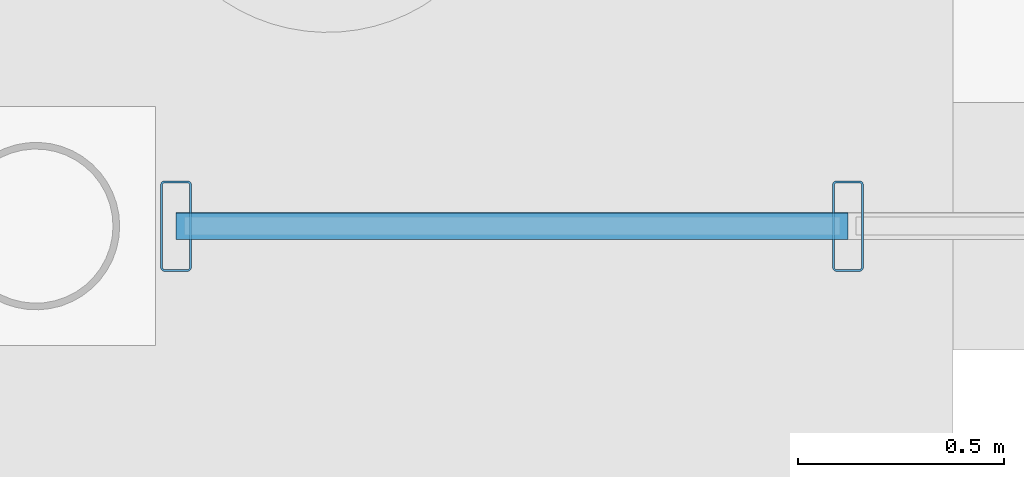
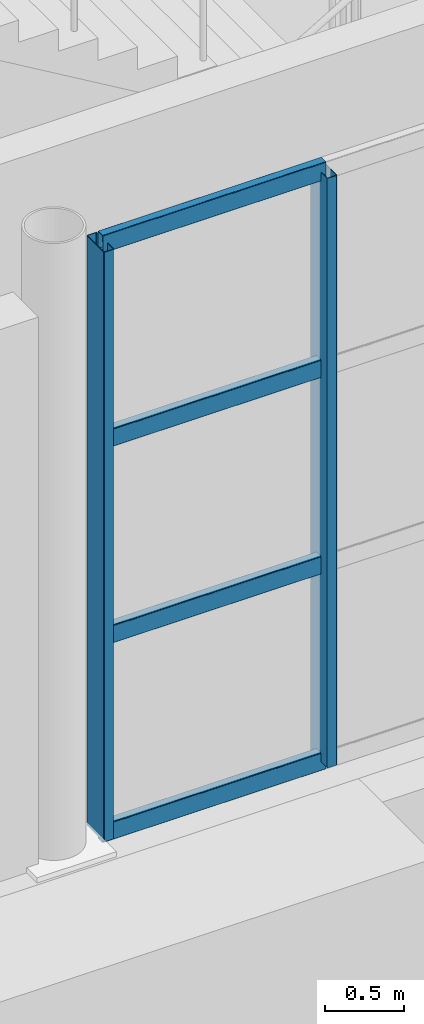
# One storey, part 43 of 101: 6 members, 1 element without a shape of its own.
"""IFC4 building model written with IfcOpenShell, lengths in metres."""

import ifcopenshell
import ifcopenshell.guid

model = None  # the IFC model being written
_history = None  # IfcOwnerHistory: only IFC2X3 demands one
_inside = {}  # id of a spatial element -> (the spatial element, [elements in it])
_under = {}  # id of a project, library or spatial element -> (it, [spatial elements below it])
_declared = {}  # id of a project -> (the project, [libraries it declares])
_typed = {}  # id of a type object -> (the type object, [elements of that type])
_made_of = {}  # id of a material, layer set ... -> (it, [elements and type objects made of it])


def new_model(schema):
    """Start an empty IFC model of exactly this schema.

    Asked for "IFC4X3", IfcOpenShell would pick the latest addendum, in which some entities
    have other attributes; the version numbers below select the first issue.
    IFC2X3 requires an IfcOwnerHistory on every rooted entity: one is made here for all.
    """
    global model, _history
    if schema == "IFC4X3":
        model = ifcopenshell.file(schema_version=(4, 3, 0, 0))
    else:
        model = ifcopenshell.file(schema=schema)
    _inside.clear()
    _under.clear()
    _declared.clear()
    _typed.clear()
    _made_of.clear()
    _history = None
    if model.schema == "IFC2X3":
        org = make("IfcOrganization", Name="unknown")
        user = make(
            "IfcPersonAndOrganization",
            ThePerson=make("IfcPerson", FamilyName="unknown"),
            TheOrganization=org,
        )
        app = make(
            "IfcApplication",
            ApplicationDeveloper=org,
            Version="unknown",
            ApplicationFullName="unknown",
            ApplicationIdentifier="unknown",
        )
        _history = make(
            "IfcOwnerHistory",
            OwningUser=user,
            OwningApplication=app,
            ChangeAction="ADDED",
            CreationDate=0,
        )
    return model


def make(cls, **values):
    """One entity of the class cls with the attributes given. An attribute that is None is left unset."""
    return model.create_entity(
        cls, **{name: value for name, value in values.items() if value is not None}
    )


def rooted(cls, **values):
    """An entity with a GlobalId (a new one), such as an element, a storey or a relation."""
    return make(cls, GlobalId=ifcopenshell.guid.new(), OwnerHistory=_history, **values)


def si_unit(unit_type, name, prefix=None):
    """IfcSIUnit, for example si_unit("LENGTHUNIT", "METRE", prefix="MILLI")."""
    return make("IfcSIUnit", UnitType=unit_type, Prefix=prefix, Name=name)


def derived_unit(unit_type, elements):
    """IfcDerivedUnit: a product of units, each with its exponent."""
    return make(
        "IfcDerivedUnit",
        Elements=[
            make("IfcDerivedUnitElement", Unit=unit, Exponent=power)
            for unit, power in elements
        ],
        UnitType=unit_type,
    )


def assignment(units):
    """IfcUnitAssignment: the units of a project."""
    return None if units is None else make("IfcUnitAssignment", Units=units)


def point(xyz):
    """IfcCartesianPoint."""
    return None if xyz is None else make("IfcCartesianPoint", Coordinates=xyz)


def direction(xyz):
    """IfcDirection."""
    return None if xyz is None else make("IfcDirection", DirectionRatios=xyz)


def frame(location, z_axis=None, x_axis=None):
    """IfcAxis2Placement3D, a coordinate frame: its origin and axes. An axis left out is left unset."""
    return make(
        "IfcAxis2Placement3D",
        Location=point(location),
        Axis=direction(z_axis),
        RefDirection=direction(x_axis),
    )


def frame_2d(location, x_axis=None):
    """IfcAxis2Placement2D, a coordinate frame in the plane: its origin and x axis."""
    return make(
        "IfcAxis2Placement2D", Location=point(location), RefDirection=direction(x_axis)
    )


def origin():
    """The frame at (0, 0, 0) with its axes left unset."""
    return frame((0.0, 0.0, 0.0))


def origin_2d():
    """The frame at (0, 0) in the plane with its x axis left unset."""
    return frame_2d((0.0, 0.0))


def place(relative_to, where):
    """IfcLocalPlacement: puts the frame where relative to a parent placement (None: the world)."""
    return make(
        "IfcLocalPlacement", PlacementRelTo=relative_to, RelativePlacement=where
    )


def context(
    kind, dimensions, precision=None, world=None, true_north=None, identifier=None
):
    """IfcGeometricRepresentationContext, for example the 3D "Model" context."""
    return make(
        "IfcGeometricRepresentationContext",
        ContextIdentifier=identifier,
        ContextType=kind,
        CoordinateSpaceDimension=dimensions,
        Precision=precision,
        WorldCoordinateSystem=world,
        TrueNorth=true_north,
    )


def subcontext(parent, identifier, kind, view, scale=None):
    """IfcGeometricRepresentationSubContext, for example "Body" below "Model"."""
    return make(
        "IfcGeometricRepresentationSubContext",
        ContextIdentifier=identifier,
        ContextType=kind,
        ParentContext=parent,
        TargetScale=scale,
        TargetView=view,
    )


def project(units=None, contexts=None):
    """IfcProject with its units and contexts."""
    return rooted(
        "IfcProject",
        Name="project",
        RepresentationContexts=contexts,
        UnitsInContext=assignment(units),
    )


def spatial(cls, under=None, at=None, **own):
    """A site, building, storey or space (cls), placed at a placement, below another one or the project."""
    s = rooted(cls, ObjectPlacement=at, **own)
    if under is not None:
        _under.setdefault(under.id(), (under, []))[1].append(s)
    return s


def profile(cls, at=None, kind="AREA", **sizes):
    """A parametric profile (cls). Its sizes go by their IFC names, for example OverallWidth=200.0."""
    return make(cls, ProfileType=kind, Position=at, **sizes)


def hollow_rectangle(**sizes):
    """IfcRectangleHollowProfileDef."""
    return profile("IfcRectangleHollowProfileDef", **sizes)


def extrude(swept, where, along, depth):
    """IfcExtrudedAreaSolid: the profile swept, set in the frame where, extruded along a direction by depth."""
    return make(
        "IfcExtrudedAreaSolid",
        SweptArea=swept,
        Position=where,
        ExtrudedDirection=direction(along),
        Depth=depth,
    )


def shape(context_of_items, identifier, shape_type, items):
    """IfcShapeRepresentation: the items that make up one representation, for example the "Body"."""
    return make(
        "IfcShapeRepresentation",
        ContextOfItems=context_of_items,
        RepresentationIdentifier=identifier,
        RepresentationType=shape_type,
        Items=items,
    )


def material(Name=None, Category=None):
    """IfcMaterial."""
    return make("IfcMaterial", Name=Name, Category=Category)


def material_profile(
    of_material, cross_section, Name=None, Category=None, Priority=None
):
    """IfcMaterialProfile: a cross section and its material."""
    return make(
        "IfcMaterialProfile",
        Name=Name,
        Material=of_material,
        Profile=cross_section,
        Priority=Priority,
        Category=Category,
    )


def profile_set(profiles, Name=None, composite=None):
    """IfcMaterialProfileSet."""
    return make(
        "IfcMaterialProfileSet",
        Name=Name,
        MaterialProfiles=profiles,
        CompositeProfile=composite,
    )


def made_of(thing, what):
    """Note that an element or type object is made of a material, layer set ...; save() writes the relation."""
    if what is not None:
        _made_of.setdefault(what.id(), (what, []))[1].append(thing)
    return thing


def type_object(cls, material=None, **own):
    """A type object (cls), such as IfcWallType, which elements share."""
    return made_of(rooted(cls, **own), material)


def element(
    cls,
    number,
    at=None,
    inside=None,
    cuts=None,
    type_object=None,
    material=None,
    context=None,
    identifier="Body",
    shape_type=None,
    held_by="IfcProductDefinitionShape",
    body=None,
    shapes=None,
    **own,
):
    """One element of the class cls, such as IfcWall. Its Tag is "e" and its number.

    at: its placement. inside: the storey or other place that contains it. cuts: it is an
    opening in that element (IfcRelVoidsElement). A single representation is given by context,
    identifier, shape_type and body (its items); several are given by shapes. held_by: the class
    of the entity that holds the representations. save() writes the other relations.
    """
    e = rooted(cls, Tag="e%d" % number, ObjectPlacement=at, **own)
    if body is not None:
        shapes = [shape(context, identifier, shape_type, body)]
    if shapes is not None:
        e.Representation = make(held_by, Representations=shapes)
    if inside is not None:
        _inside.setdefault(inside.id(), (inside, []))[1].append(e)
    if cuts is not None:
        rooted(
            "IfcRelVoidsElement", RelatingBuildingElement=cuts, RelatedOpeningElement=e
        )
    if type_object is not None:
        _typed.setdefault(type_object.id(), (type_object, []))[1].append(e)
    return made_of(e, material)


def aggregate(whole, parts):
    """IfcRelAggregates: a whole, such as a stair, and the parts it consists of."""
    return rooted("IfcRelAggregates", RelatingObject=whole, RelatedObjects=parts)


def save(model, path):
    """Write the relations noted so far, then the file.

    IfcRelAggregates (storeys below a building ...), IfcRelContainedInSpatialStructure (elements
    in a storey), IfcRelDefinesByType, IfcRelAssociatesMaterial and IfcRelDeclares: one each for
    every whole, place, type object, material and project.
    """
    for whole, parts in _under.values():
        aggregate(whole, parts)
    for where, things in _inside.values():
        rooted(
            "IfcRelContainedInSpatialStructure",
            RelatedElements=things,
            RelatingStructure=where,
        )
    for kind, things in _typed.values():
        rooted("IfcRelDefinesByType", RelatedObjects=things, RelatingType=kind)
    for what, things in _made_of.values():
        rooted("IfcRelAssociatesMaterial", RelatedObjects=things, RelatingMaterial=what)
    for by, libraries in _declared.values():
        rooted("IfcRelDeclares", RelatingContext=by, RelatedDefinitions=libraries)
    model.write(path)


model = new_model("IFC4")

# Units and contexts
model_context = context("Model", 3, precision=1e-05, world=origin(), true_north=direction((0.0, 1.0)))
body_context = subcontext(model_context, "Body", "Model", "MODEL_VIEW")
ifc_project = project(units=[si_unit("LENGTHUNIT", "METRE"), si_unit("AREAUNIT", "SQUARE_METRE"), si_unit("VOLUMEUNIT", "CUBIC_METRE"), si_unit("PLANEANGLEUNIT", "RADIAN"), si_unit("MASSUNIT", "GRAM", prefix="KILO"), derived_unit("THERMALTRANSMITTANCEUNIT", [(si_unit("POWERUNIT", "WATT"), 1), (si_unit("LENGTHUNIT", "METRE"), -2), (si_unit("THERMODYNAMICTEMPERATUREUNIT", "KELVIN"), -1)])], contexts=[model_context])

# Site, building, storey
site_placement = place(None, origin())
site = spatial("IfcSite", under=ifc_project, at=site_placement, CompositionType="ELEMENT")
building_placement = place(site_placement, origin())
building = spatial("IfcBuilding", under=site, at=building_placement, Name="Keldorne Ridge Multi-Sports Centre", CompositionType="ELEMENT")
storey_placement = place(building_placement, origin())
storey = spatial("IfcBuildingStorey", under=building, at=storey_placement, Name="L00", CompositionType="ELEMENT", Elevation=0.0)

# Curtain wall, members
ifc_material = material(Name="Anodized aluminium", Category="aluminium")
curtain_wall_type = type_object("IfcCurtainWallType", Name="CW-CW-04", PredefinedType="NOTDEFINED", material=ifc_material)
curtain_wall_placement = place(storey_placement, origin())
curtain_wall = element("IfcCurtainWall", 1, at=curtain_wall_placement, inside=storey, type_object=curtain_wall_type, Name="Climbing south curtain wall 052", PredefinedType="NOTDEFINED")
ifc_material_profile_1 = material_profile(ifc_material, hollow_rectangle(XDim=0.074951171875, YDim=0.219970703125, WallThickness=0.0048828125, InnerFilletRadius=0.0048828125, OuterFilletRadius=0.010009765625, at=origin_2d()), Name="ALU MULLION 220x75x5")
ifc_profile_set_1 = profile_set([ifc_material_profile_1], Name="Anodized aluminium")
member_type_1 = type_object("IfcMemberType", Name="MEM-ML-02", PredefinedType="MULLION", material=ifc_profile_set_1)
member_1_placement = place(storey_placement, frame((35.139892578125, 74.0, 0.0), z_axis=(0.0, 0.0, 1.0), x_axis=(1.0, 0.0, 0.0)))
member_1 = element("IfcMember", 2, at=member_1_placement, type_object=member_type_1, Name="CW-052 vertical mullion 1", PredefinedType="MULLION", context=body_context, shape_type="SweptSolid", body=[
    extrude(hollow_rectangle(XDim=0.074951171875, YDim=0.219970703125, WallThickness=0.0048828125, InnerFilletRadius=0.0048828125, OuterFilletRadius=0.010009765625, at=origin_2d()), origin(), (0.0, 0.0, 1.0), 4.550048828125),
])
member_2_placement = place(storey_placement, frame((36.77001953125, 74.0, 0.0), z_axis=(0.0, 0.0, 1.0), x_axis=(1.0, 0.0, 0.0)))
member_2 = element("IfcMember", 3, at=member_2_placement, type_object=member_type_1, Name="CW-052 vertical mullion 2", PredefinedType="MULLION", context=body_context, shape_type="SweptSolid", body=[
    extrude(hollow_rectangle(XDim=0.074951171875, YDim=0.219970703125, WallThickness=0.0048828125, InnerFilletRadius=0.0048828125, OuterFilletRadius=0.010009765625, at=origin_2d()), origin(), (0.0, 0.0, 1.0), 4.550048828125),
])
ifc_material_profile_2 = material_profile(ifc_material, hollow_rectangle(XDim=0.06494140625, YDim=0.139892578125, WallThickness=0.00439453125, InnerFilletRadius=0.00439453125, OuterFilletRadius=0.009033203125, at=origin_2d()), Name="ALU TRANSOM 140x65x4.5")
ifc_profile_set_2 = profile_set([ifc_material_profile_2], Name="Anodized aluminium")
member_type_2 = type_object("IfcMemberType", Name="MEM-TR-01", PredefinedType="USERDEFINED", material=ifc_profile_set_2)
member_3_placement = place(storey_placement, frame((35.139892578125, 74.0, 0.0), z_axis=(1.0, 0.0, 0.0), x_axis=(0.0, 1.0, 0.0)))
member_3 = element("IfcMember", 4, at=member_3_placement, type_object=member_type_2, Name="CW-052 transom 1.1", ObjectType="TRANSOM", PredefinedType="USERDEFINED", context=body_context, shape_type="SweptSolid", body=[
    extrude(hollow_rectangle(XDim=0.06494140625, YDim=0.139892578125, WallThickness=0.00439453125, InnerFilletRadius=0.00439453125, OuterFilletRadius=0.009033203125, at=origin_2d()), origin(), (0.0, 0.0, 1.0), 1.630126953125),
])
member_4_placement = place(storey_placement, frame((35.139892578125, 74.0, 1.5166015625), z_axis=(1.0, 0.0, 0.0), x_axis=(0.0, 1.0, 0.0)))
member_4 = element("IfcMember", 5, at=member_4_placement, type_object=member_type_2, Name="CW-052 transom 1.2", ObjectType="TRANSOM", PredefinedType="USERDEFINED", context=body_context, shape_type="SweptSolid", body=[
    extrude(hollow_rectangle(XDim=0.06494140625, YDim=0.139892578125, WallThickness=0.00439453125, InnerFilletRadius=0.00439453125, OuterFilletRadius=0.009033203125, at=origin_2d()), origin(), (0.0, 0.0, 1.0), 1.630126953125),
])
member_5_placement = place(storey_placement, frame((35.139892578125, 74.0, 3.033203125), z_axis=(1.0, 0.0, 0.0), x_axis=(0.0, 1.0, 0.0)))
member_5 = element("IfcMember", 6, at=member_5_placement, type_object=member_type_2, Name="CW-052 transom 1.3", ObjectType="TRANSOM", PredefinedType="USERDEFINED", context=body_context, shape_type="SweptSolid", body=[
    extrude(hollow_rectangle(XDim=0.06494140625, YDim=0.139892578125, WallThickness=0.00439453125, InnerFilletRadius=0.00439453125, OuterFilletRadius=0.009033203125, at=origin_2d()), origin(), (0.0, 0.0, 1.0), 1.630126953125),
])
member_6_placement = place(storey_placement, frame((35.139892578125, 74.0, 4.550048828125), z_axis=(1.0, 0.0, 0.0), x_axis=(0.0, 1.0, 0.0)))
member_6 = element("IfcMember", 7, at=member_6_placement, type_object=member_type_2, Name="CW-052 transom 1.4", ObjectType="TRANSOM", PredefinedType="USERDEFINED", context=body_context, shape_type="SweptSolid", body=[
    extrude(hollow_rectangle(XDim=0.06494140625, YDim=0.139892578125, WallThickness=0.00439453125, InnerFilletRadius=0.00439453125, OuterFilletRadius=0.009033203125, at=origin_2d()), origin(), (0.0, 0.0, 1.0), 1.630126953125),
])
aggregate(curtain_wall, [member_1, member_2, member_3, member_4, member_5, member_6])

save(model, "model.ifc")
